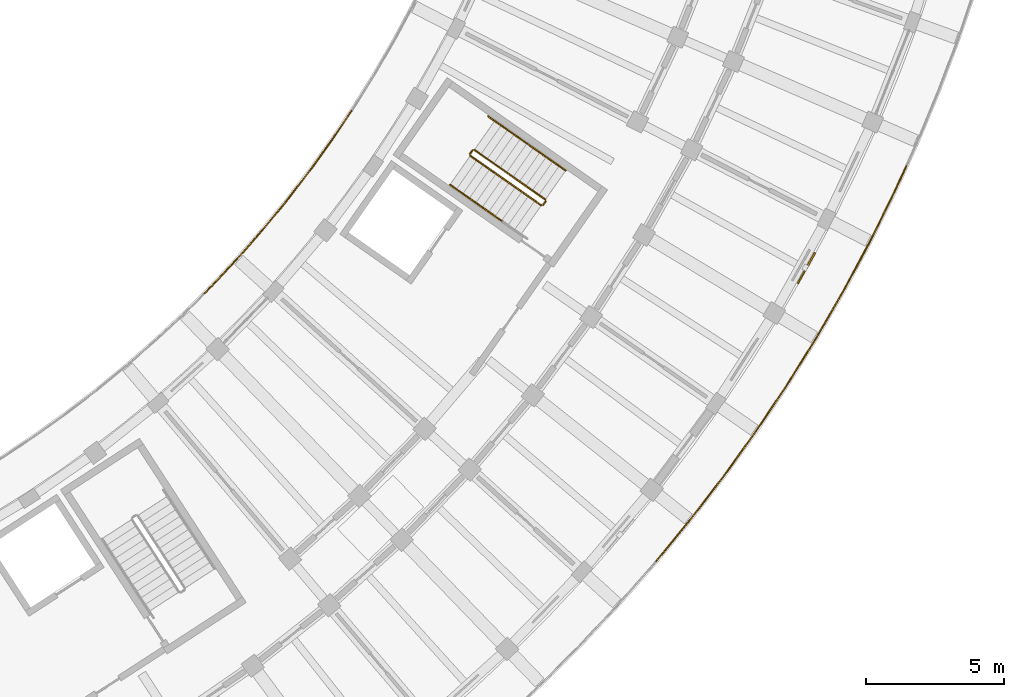
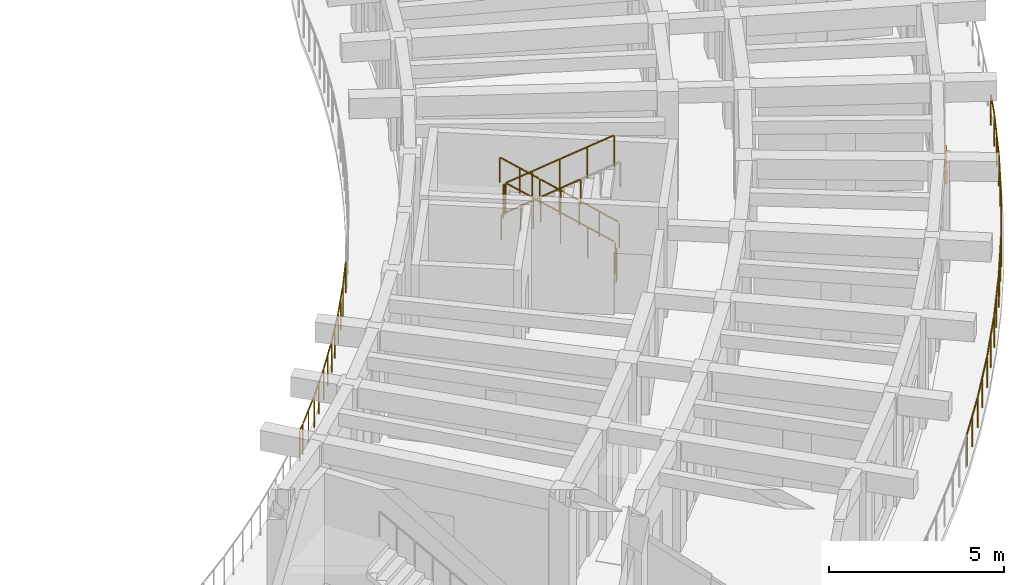
# One storey, part 122 of 128: 12 railings, 1 shading device.
"""IFC4 building model written with IfcOpenShell, lengths in metres."""

from ifc_helpers import new_model, si_unit, direction, frame, origin, origin_2d, place, context, subcontext, project, spatial, rectangle, circle, extrude, material, layer, layer_set, type_object, element, save


model = new_model("IFC4")

# Units and contexts
model_context = context("Model", 3, precision=1e-05, world=origin(), true_north=direction((0.0, 1.0)))
body_context = subcontext(model_context, "Body", "Model", "MODEL_VIEW")
ifc_project = project(units=[si_unit("LENGTHUNIT", "METRE"), si_unit("AREAUNIT", "SQUARE_METRE"), si_unit("VOLUMEUNIT", "CUBIC_METRE"), si_unit("PLANEANGLEUNIT", "RADIAN"), si_unit("MASSUNIT", "GRAM", prefix="KILO")], contexts=[model_context])

# Site, building, storey
site_placement = place(None, origin())
site = spatial("IfcSite", under=ifc_project, at=site_placement, CompositionType="ELEMENT")
building_placement = place(site_placement, origin())
building = spatial("IfcBuilding", under=site, at=building_placement, Name="Tanwirah Colonnade Gardens", CompositionType="ELEMENT")
storey_placement = place(building_placement, frame((0.0, 0.0, 4.760009765625)))
storey = spatial("IfcBuildingStorey", under=building, at=storey_placement, Name="L01", CompositionType="ELEMENT", Elevation=4.760009765625)

# Railings
ifc_material_1 = material(Name="Precast concrete C40/50", Category="concrete")
railing_type_1 = type_object("IfcRailingType", Name="BAL-EXT110", PredefinedType="BALUSTRADE", material=ifc_material_1)
railing_1_placement = place(storey_placement, frame((151.4033203125, 34.55224609375, 0.0)))
element("IfcRailing", 1, at=railing_1_placement, inside=storey, type_object=railing_type_1, Name="Block D L01 Balcony Ribbon Balustrade 4", PredefinedType="BALUSTRADE", context=body_context, shape_type="SweptSolid", body=[
    extrude(circle(Radius=0.02392578125, at=origin_2d()), frame((0.022216796875, 0.02197265625, 1.076171875), z_axis=(0.707849930104, 0.706362850419, 0.0), x_axis=(-0.706362850419, 0.707849930104, 0.0)), (0.0, 0.0, 1.0), 0.265869140625),
    extrude(circle(Radius=0.02392578125, at=origin_2d()), frame((0.255615234375, 0.256591796875, 1.076171875), z_axis=(0.684424509294, 0.729083733928, 0.0), x_axis=(-0.729083733928, 0.684424509294, 0.0)), (0.0, 0.0, 1.0), 1.33154296875),
    extrude(circle(Radius=0.02392578125, at=origin_2d()), frame((1.210693359375, 1.275634765625, 1.076171875), z_axis=(0.660288280901, 0.751012240982, 0.0), x_axis=(-0.751012240982, 0.660288280901, 0.0)), (0.0, 0.0, 1.0), 1.33154296875),
    extrude(circle(Radius=0.02392578125, at=origin_2d()), frame((2.1318359375, 2.325439453125, 1.076171875), z_axis=(0.635209885743, 0.77233956331, 0.0), x_axis=(-0.77233956331, 0.635209885743, 0.0)), (0.0, 0.0, 1.0), 1.33154296875),
    extrude(circle(Radius=0.02392578125, at=origin_2d()), frame((3.018310546875, 3.40478515625, 1.076171875), z_axis=(0.609651512095, 0.792669561546, 0.0), x_axis=(-0.792669561546, 0.609651512095, 0.0)), (0.0, 0.0, 1.0), 1.33154296875),
    extrude(circle(Radius=0.02392578125, at=origin_2d()), frame((3.868896484375, 4.512451171875, 1.076171875), z_axis=(0.58342309678, 0.812168387802, 0.0), x_axis=(-0.812168387802, 0.58342309678, 0.0)), (0.0, 0.0, 1.0), 1.331298828125),
    extrude(circle(Radius=0.02392578125, at=origin_2d()), frame((4.6826171875, 5.647216796875, 1.076171875), z_axis=(0.556551934592, 0.830812821339, 0.0), x_axis=(-0.830812821339, 0.556551934592, 0.0)), (0.0, 0.0, 1.0), 1.123291015625),
    extrude(circle(Radius=0.02099609375, at=origin_2d()), origin(), (0.0, 0.0, 1.0), 1.049072265625),
    extrude(circle(Radius=0.02099609375, at=origin_2d()), frame((0.232421875, 0.23193359375, 0.0)), (0.0, 0.0, 1.0), 1.049072265625),
    extrude(circle(Radius=0.02099609375, at=origin_2d()), frame((0.711181640625, 0.7421875, 0.0)), (0.0, 0.0, 1.0), 1.049072265625),
    extrude(circle(Radius=0.02099609375, at=origin_2d()), frame((1.188232421875, 1.250244140625, 0.0)), (0.0, 0.0, 1.0), 1.049072265625),
    extrude(circle(Radius=0.02099609375, at=origin_2d()), frame((1.650146484375, 1.775634765625, 0.0)), (0.0, 0.0, 1.0), 1.049072265625),
    extrude(circle(Radius=0.02099609375, at=origin_2d()), frame((2.1103515625, 2.299072265625, 0.0)), (0.0, 0.0, 1.0), 1.049072265625),
    extrude(circle(Radius=0.02099609375, at=origin_2d()), frame((2.5546875, 2.839599609375, 0.0)), (0.0, 0.0, 1.0), 1.049072265625),
    extrude(circle(Radius=0.02099609375, at=origin_2d()), frame((2.99755859375, 3.3779296875, 0.0)), (0.0, 0.0, 1.0), 1.049072265625),
    extrude(circle(Radius=0.02099609375, at=origin_2d()), frame((3.42431640625, 3.932373046875, 0.0)), (0.0, 0.0, 1.0), 1.049072265625),
    extrude(circle(Radius=0.02099609375, at=origin_2d()), frame((3.84912109375, 4.48486328125, 0.0)), (0.0, 0.0, 1.0), 1.049072265625),
    extrude(circle(Radius=0.02099609375, at=origin_2d()), frame((4.25732421875, 5.05322265625, 0.0)), (0.0, 0.0, 1.0), 1.049072265625),
    extrude(circle(Radius=0.02099609375, at=origin_2d()), frame((4.663818359375, 5.619140625, 0.0)), (0.0, 0.0, 1.0), 1.049072265625),
    extrude(circle(Radius=0.02099609375, at=origin_2d()), frame((5.3251953125, 6.6064453125, 0.0)), (0.0, 0.0, 1.0), 1.049072265625),
])
railing_2_placement = place(storey_placement, frame((176.82958984375, 39.15869140625, 0.0)))
element("IfcRailing", 2, at=railing_2_placement, inside=storey, type_object=railing_type_1, Name="Block D L01 Balcony Ribbon Balustrade 11", PredefinedType="BALUSTRADE", context=body_context, shape_type="SweptSolid", body=[
    extrude(circle(Radius=0.02392578125, at=origin_2d()), frame((-0.012939453125, -0.028564453125, 1.076171875), z_axis=(-0.413588400832, -0.910463966721, 0.0), x_axis=(0.910463966721, -0.413588400832, 0.0)), (0.0, 0.0, 1.0), 0.96630859375),
    extrude(circle(Radius=0.02392578125, at=origin_2d()), frame((-0.439453125, -0.96484375, 1.076171875), z_axis=(-0.443316350815, -0.896365223054, 0.0), x_axis=(0.896365223054, -0.443316350815, 0.0)), (0.0, 0.0, 1.0), 1.9443359375),
    extrude(circle(Radius=0.02392578125, at=origin_2d()), frame((-1.329833984375, -2.76318359375, 1.076171875), z_axis=(-0.472342962594, -0.881414843129, 0.0), x_axis=(0.881414843129, -0.472342962594, 0.0)), (0.0, 0.0, 1.0), 1.944091796875),
    extrude(circle(Radius=0.02392578125, at=origin_2d()), frame((-2.278564453125, -4.53125, 1.076171875), z_axis=(-0.500940340279, -0.865481816956, 0.0), x_axis=(0.865481816956, -0.500940340279, 0.0)), (0.0, 0.0, 1.0), 1.94384765625),
    extrude(circle(Radius=0.02392578125, at=origin_2d()), frame((-3.28466796875, -6.267333984375, 1.076171875), z_axis=(-0.528970161013, -0.848640423712, 0.0), x_axis=(0.848640423712, -0.528970161013, 0.0)), (0.0, 0.0, 1.0), 1.388671875),
    extrude(circle(Radius=0.02099609375, at=origin_2d()), origin(), (0.0, 0.0, 1.0), 1.049072265625),
    extrude(circle(Radius=0.02099609375, at=origin_2d()), frame((-0.425537109375, -0.936767578125, 0.0)), (0.0, 0.0, 1.0), 1.049072265625),
    extrude(circle(Radius=0.02099609375, at=origin_2d()), frame((-0.870361328125, -1.836181640625, 0.0)), (0.0, 0.0, 1.0), 1.049072265625),
    extrude(circle(Radius=0.02099609375, at=origin_2d()), frame((-1.315185546875, -2.735595703125, 0.0)), (0.0, 0.0, 1.0), 1.049072265625),
    extrude(circle(Radius=0.02099609375, at=origin_2d()), frame((-1.7890625, -3.619873046875, 0.0)), (0.0, 0.0, 1.0), 1.049072265625),
    extrude(circle(Radius=0.02099609375, at=origin_2d()), frame((-2.262939453125, -4.504150390625, 0.0)), (0.0, 0.0, 1.0), 1.049072265625),
    extrude(circle(Radius=0.02099609375, at=origin_2d()), frame((-2.765625, -5.37255859375, 0.0)), (0.0, 0.0, 1.0), 1.049072265625),
    extrude(circle(Radius=0.02099609375, at=origin_2d()), frame((-3.26806640625, -6.24072265625, 0.0)), (0.0, 0.0, 1.0), 1.049072265625),
    extrude(circle(Radius=0.02099609375, at=origin_2d()), frame((-3.65185546875, -6.8564453125, 0.0)), (0.0, 0.0, 1.0), 1.049072265625),
    extrude(circle(Radius=0.02099609375, at=origin_2d()), frame((-4.03564453125, -7.47216796875, 0.0)), (0.0, 0.0, 1.0), 1.049072265625),
])
railing_3_placement = place(storey_placement, frame((172.7939453125, 31.6865234375, 0.0)))
element("IfcRailing", 3, at=railing_3_placement, inside=storey, type_object=railing_type_1, Name="Block D L01 Balcony Ribbon Balustrade 12", PredefinedType="BALUSTRADE", context=body_context, shape_type="SweptSolid", body=[
    extrude(circle(Radius=0.02392578125, at=origin_2d()), frame((-0.0166015625, -0.026611328125, 1.076171875), z_axis=(-0.529090123172, -0.848565637745, 0.0), x_axis=(0.848565637745, -0.529090123172, 0.0)), (0.0, 0.0, 1.0), 0.4931640625),
    extrude(circle(Radius=0.02392578125, at=origin_2d()), frame((-0.311279296875, -0.497314453125, 1.076171875), z_axis=(-0.556495801451, -0.830850421537, 0.0), x_axis=(0.830850421537, -0.556495801451, 0.0)), (0.0, 0.0, 1.0), 1.944091796875),
    extrude(circle(Radius=0.02392578125, at=origin_2d()), frame((-1.428955078125, -2.1640625, 1.076171875), z_axis=(-0.583285007996, -0.812267566413, 0.0), x_axis=(0.812267566413, -0.583285007996, 0.0)), (0.0, 0.0, 1.0), 1.944091796875),
    extrude(circle(Radius=0.02392578125, at=origin_2d()), frame((-2.60009765625, -3.793212890625, 1.076171875), z_axis=(-0.609669601555, -0.7926556484, 0.0), x_axis=(0.7926556484, -0.609669601555, 0.0)), (0.0, 0.0, 1.0), 1.944091796875),
    extrude(circle(Radius=0.02392578125, at=origin_2d()), frame((-3.82421875, -5.38330078125, 1.076171875), z_axis=(-0.635218069505, -0.772332832511, 0.0), x_axis=(0.772332832511, -0.635218069505, 0.0)), (0.0, 0.0, 1.0), 1.8623046875),
    extrude(circle(Radius=0.02099609375, at=origin_2d()), origin(), (0.0, 0.0, 1.0), 1.049072265625),
    extrude(circle(Radius=0.02099609375, at=origin_2d()), frame((-0.2939453125, -0.471435546875, 0.0)), (0.0, 0.0, 1.0), 1.049072265625),
    extrude(circle(Radius=0.02099609375, at=origin_2d()), frame((-0.852294921875, -1.30517578125, 0.0)), (0.0, 0.0, 1.0), 1.049072265625),
    extrude(circle(Radius=0.02099609375, at=origin_2d()), frame((-1.41064453125, -2.138671875, 0.0)), (0.0, 0.0, 1.0), 1.049072265625),
    extrude(circle(Radius=0.02099609375, at=origin_2d()), frame((-1.995849609375, -2.95361328125, 0.0)), (0.0, 0.0, 1.0), 1.049072265625),
    extrude(circle(Radius=0.02099609375, at=origin_2d()), frame((-2.5810546875, -3.7685546875, 0.0)), (0.0, 0.0, 1.0), 1.049072265625),
    extrude(circle(Radius=0.02099609375, at=origin_2d()), frame((-3.19287109375, -4.56396484375, 0.0)), (0.0, 0.0, 1.0), 1.049072265625),
    extrude(circle(Radius=0.02099609375, at=origin_2d()), frame((-3.804443359375, -5.359130859375, 0.0)), (0.0, 0.0, 1.0), 1.049072265625),
    extrude(circle(Radius=0.02099609375, at=origin_2d()), frame((-4.415771484375, -6.1025390625, 0.0)), (0.0, 0.0, 1.0), 1.049072265625),
    extrude(circle(Radius=0.02099609375, at=origin_2d()), frame((-5.027099609375, -6.845703125, 0.0)), (0.0, 0.0, 1.0), 1.049072265625),
])
ifc_material_2 = material(Name="Powder-coated galvanized steel", Category="steel")
railing_type_2 = type_object("IfcRailingType", Name="GRD-ST110", PredefinedType="GUARDRAIL", material=ifc_material_2)
railing_4_placement = place(storey_placement, frame((163.751220703125, 37.94677734375, 0.169921875)))
element("IfcRailing", 4, at=railing_4_placement, inside=storey, type_object=railing_type_2, Name="L01 ST-D2 stair guard 1", PredefinedType="GUARDRAIL", context=body_context, shape_type="SweptSolid", body=[
    extrude(circle(Radius=0.02392578125, at=origin_2d()), frame((-0.02197265625, 0.015380859375, 1.092041015625), z_axis=(-0.703485493216, 0.492620414776, 0.512282429702), x_axis=(-0.573603445772, -0.819133131425, 0.0)), (0.0, 0.0, 1.0), 3.588134765625),
    extrude(circle(Radius=0.02099609375, at=origin_2d()), origin(), (0.0, 0.0, 1.0), 1.049072265625),
    extrude(circle(Radius=0.02099609375, at=origin_2d()), frame((-0.64208984375, 0.44970703125, 0.467529296875)), (0.0, 0.0, 1.0), 1.049072265625),
    extrude(circle(Radius=0.02099609375, at=origin_2d()), frame((-1.2841796875, 0.899169921875, 0.93505859375)), (0.0, 0.0, 1.0), 1.049072265625),
    extrude(circle(Radius=0.02099609375, at=origin_2d()), frame((-1.926025390625, 1.3486328125, 1.402587890625)), (0.0, 0.0, 1.0), 1.049072265625),
    extrude(circle(Radius=0.02099609375, at=origin_2d()), frame((-2.568115234375, 1.79833984375, 1.8701171875)), (0.0, 0.0, 1.0), 1.049072265625),
])
railing_5_placement = place(storey_placement, frame((161.113525390625, 39.732666015625, 2.0400390625)))
element("IfcRailing", 5, at=railing_5_placement, inside=storey, type_object=railing_type_2, Name="L01 ST-D2 stair guard 2", PredefinedType="GUARDRAIL", context=body_context, shape_type="SweptSolid", body=[
    extrude(circle(Radius=0.02392578125, at=origin_2d()), frame((-0.017822265625, -0.025634765625, 1.076171875), z_axis=(-0.57356471828, -0.819160249246, 0.0), x_axis=(0.819160249246, -0.57356471828, 0.0)), (0.0, 0.0, 1.0), 0.097412109375),
    extrude(circle(Radius=0.02099609375, at=origin_2d()), origin(), (0.0, 0.0, 1.0), 1.049072265625),
    extrude(circle(Radius=0.02099609375, at=origin_2d()), frame((-0.091796875, -0.131103515625, 0.0)), (0.0, 0.0, 1.0), 1.049072265625),
])
railing_6_placement = place(storey_placement, frame((161.033935546875, 39.531982421875, 2.2099609375)))
element("IfcRailing", 6, at=railing_6_placement, inside=storey, type_object=railing_type_2, Name="L01 ST-D2 stair guard 3", PredefinedType="GUARDRAIL", context=body_context, shape_type="SweptSolid", body=[
    extrude(circle(Radius=0.02392578125, at=origin_2d()), frame((0.02197265625, -0.015380859375, 1.092041015625), z_axis=(0.703508669309, -0.492569764185, 0.512299306674), x_axis=(0.573551191943, 0.819169720034, 0.0)), (0.0, 0.0, 1.0), 3.587890625),
    extrude(circle(Radius=0.02099609375, at=origin_2d()), origin(), (0.0, 0.0, 1.0), 1.049072265625),
    extrude(circle(Radius=0.02099609375, at=origin_2d()), frame((0.64208984375, -0.449462890625, 0.467529296875)), (0.0, 0.0, 1.0), 1.049072265625),
    extrude(circle(Radius=0.02099609375, at=origin_2d()), frame((1.2841796875, -0.89892578125, 0.93505859375)), (0.0, 0.0, 1.0), 1.049072265625),
    extrude(circle(Radius=0.02099609375, at=origin_2d()), frame((1.926025390625, -1.3486328125, 1.402587890625)), (0.0, 0.0, 1.0), 1.049072265625),
    extrude(circle(Radius=0.02099609375, at=origin_2d()), frame((2.568115234375, -1.798095703125, 1.8701171875)), (0.0, 0.0, 1.0), 1.049072265625),
])
railing_7_placement = place(storey_placement, frame((163.763427734375, 37.877197265625, 0.0)))
element("IfcRailing", 7, at=railing_7_placement, inside=storey, type_object=railing_type_2, Name="L01 ST-D2 stair guard 4", PredefinedType="GUARDRAIL", context=body_context, shape_type="SweptSolid", body=[
    extrude(circle(Radius=0.02392578125, at=origin_2d()), frame((-0.017822265625, -0.025634765625, 1.076171875), z_axis=(-0.57356471828, -0.819160249246, 0.0), x_axis=(0.819160249246, -0.57356471828, 0.0)), (0.0, 0.0, 1.0), 0.097412109375),
    extrude(circle(Radius=0.02099609375, at=origin_2d()), origin(), (0.0, 0.0, 1.0), 1.049072265625),
    extrude(circle(Radius=0.02099609375, at=origin_2d()), frame((-0.091796875, -0.131103515625, 0.0)), (0.0, 0.0, 1.0), 1.049072265625),
])
ifc_material_3 = material(Name="Brushed bronze stainless steel", Category="steel")
railing_type_3 = type_object("IfcRailingType", Name="HR-ST090", PredefinedType="HANDRAIL", material=ifc_material_3)
railing_8_placement = place(storey_placement, frame((164.4853515625, 38.995361328125, 0.169921875)))
element("IfcRailing", 8, at=railing_8_placement, inside=storey, type_object=railing_type_3, Name="L01 ST-D2 stair handrail 1", PredefinedType="HANDRAIL", context=body_context, shape_type="SweptSolid", body=[
    extrude(circle(Radius=0.02392578125, at=origin_2d()), frame((-0.02197265625, 0.015380859375, 0.89208984375), z_axis=(-0.701883200119, 0.491409989521, 0.515631841133), x_axis=(-0.573534209649, -0.819181610122, 0.0)), (0.0, 0.0, 1.0), 1.26806640625),
    extrude(circle(Radius=0.02099609375, at=origin_2d()), origin(), (0.0, 0.0, 1.0), 0.848876953125),
    extrude(circle(Radius=0.02099609375, at=origin_2d()), frame((-0.466796875, 0.326904296875, 0.343017578125)), (0.0, 0.0, 1.0), 0.848876953125),
    extrude(circle(Radius=0.02099609375, at=origin_2d()), frame((-0.933837890625, 0.65380859375, 0.68603515625)), (0.0, 0.0, 1.0), 0.848876953125),
])
railing_9_placement = place(storey_placement, frame((163.551513671875, 39.649169921875, 0.85595703125)))
element("IfcRailing", 9, at=railing_9_placement, inside=storey, type_object=railing_type_3, Name="L01 ST-D2 stair handrail 2", PredefinedType="HANDRAIL", context=body_context, shape_type="SweptSolid", body=[
    extrude(circle(Radius=0.02392578125, at=origin_2d()), frame((-0.02197265625, 0.015380859375, 0.89208984375), z_axis=(-0.701819905824, 0.491549157569, 0.515585342579), x_axis=(-0.573677900503, -0.81908098896, 0.0)), (0.0, 0.0, 1.0), 1.26806640625),
    extrude(circle(Radius=0.02099609375, at=origin_2d()), origin(), (0.0, 0.0, 1.0), 0.848876953125),
    extrude(circle(Radius=0.02099609375, at=origin_2d()), frame((-0.466796875, 0.3271484375, 0.343017578125)), (0.0, 0.0, 1.0), 0.848876953125),
    extrude(circle(Radius=0.02099609375, at=origin_2d()), frame((-0.933837890625, 0.654052734375, 0.68603515625)), (0.0, 0.0, 1.0), 0.848876953125),
])
railing_10_placement = place(storey_placement, frame((162.61767578125, 40.30322265625, 1.5419921875)))
element("IfcRailing", 10, at=railing_10_placement, inside=storey, type_object=railing_type_3, Name="L01 ST-D2 stair handrail 3", PredefinedType="HANDRAIL", context=body_context, shape_type="SweptSolid", body=[
    extrude(circle(Radius=0.02392578125, at=origin_2d()), frame((-0.02197265625, 0.015380859375, 0.89208984375), z_axis=(-0.701883200119, 0.491409989521, 0.515631841133), x_axis=(-0.573534209649, -0.819181610122, 0.0)), (0.0, 0.0, 1.0), 1.26806640625),
    extrude(circle(Radius=0.02099609375, at=origin_2d()), origin(), (0.0, 0.0, 1.0), 0.848876953125),
    extrude(circle(Radius=0.02099609375, at=origin_2d()), frame((-0.466796875, 0.326904296875, 0.343017578125)), (0.0, 0.0, 1.0), 0.848876953125),
    extrude(circle(Radius=0.02099609375, at=origin_2d()), frame((-0.933837890625, 0.65380859375, 0.68603515625)), (0.0, 0.0, 1.0), 0.848876953125),
])
for number, where, name in (
    (11, (160.2998046875, 38.4833984375, 2.2099609375), "L01 ST-D2 stair handrail 4"),
    (12, (161.233642578125, 37.82958984375, 2.89599609375), "L01 ST-D2 stair handrail 5"),
):
    element("IfcRailing", number, at=place(storey_placement, frame(where)), inside=storey, type_object=railing_type_3, Name=name, PredefinedType="HANDRAIL", context=body_context, shape_type="SweptSolid", body=[
        extrude(circle(Radius=0.02392578125, at=origin_2d()), frame((0.02197265625, -0.015380859375, 0.89208984375), z_axis=(0.701883200119, -0.491409989521, 0.515631841133), x_axis=(0.573534209649, 0.819181610122, 0.0)), (0.0, 0.0, 1.0), 1.26806640625),
        extrude(circle(Radius=0.02099609375, at=origin_2d()), origin(), (0.0, 0.0, 1.0), 0.848876953125),
        extrude(circle(Radius=0.02099609375, at=origin_2d()), frame((0.466796875, -0.326904296875, 0.343017578125)), (0.0, 0.0, 1.0), 0.848876953125),
        extrude(circle(Radius=0.02099609375, at=origin_2d()), frame((0.933837890625, -0.65380859375, 0.68603515625)), (0.0, 0.0, 1.0), 0.848876953125),
    ])

# Shading device
ifc_material_4 = material(Name="Perforated architectural bronze aluminium", Category="aluminium")
ifc_layer = layer(ifc_material_4, 0.050048828125)
ifc_layer_set = layer_set([ifc_layer], Name="Perforated architectural bronze aluminium")
shading_device_type = type_object("IfcShadingDeviceType", Name="SHD-OVH1", PredefinedType="SHUTTER", material=ifc_layer_set)
shading_device_placement = place(storey_placement, frame((173.211181640625, 35.46142578125, 1.90478515625), z_axis=(0.0, 0.0, 1.0), x_axis=(0.486716717699, 0.873559864413, 0.0)))
element("IfcShadingDevice", 13, at=shading_device_placement, inside=storey, type_object=shading_device_type, Name="Solar shading louver hood D-L01-12", PredefinedType="SHUTTER", context=body_context, shape_type="SweptSolid", body=[
    extrude(rectangle(XDim=1.280029296875, YDim=0.06005859375, at=origin_2d()), origin(), (0.0, 0.0, 1.0), 0.449951171875),
])

save(model, "model.ifc")
